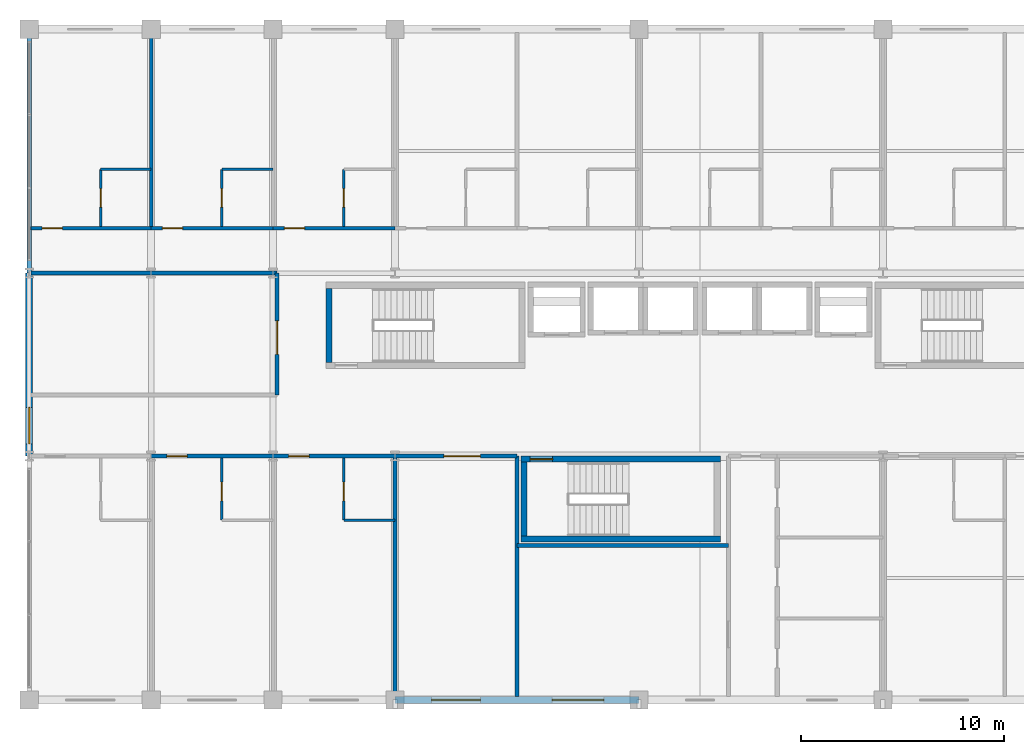
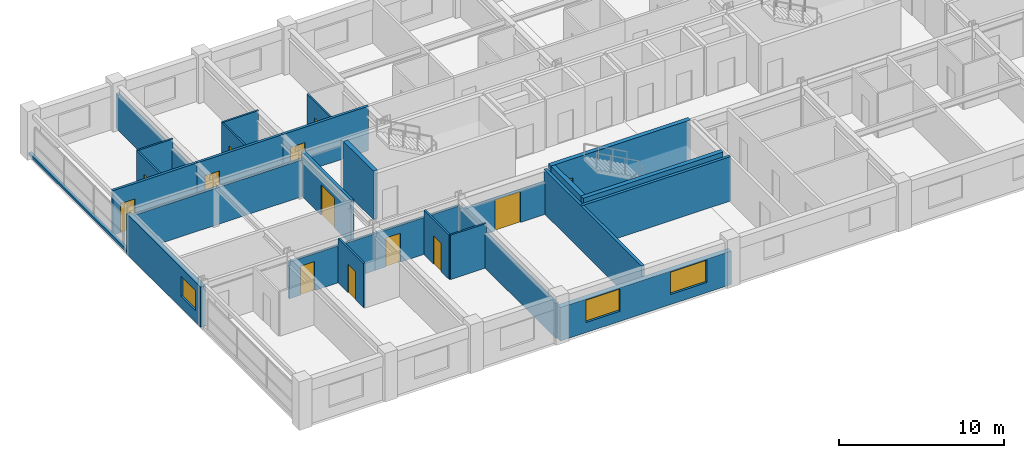
# One storey, part 16 of 22: 27 walls, 13 doors, 3 windows, 16 openings.
"""IFC4 building model written with IfcOpenShell, lengths in metres."""

from ifc_helpers import new_model, si_unit, direction, frame, frame_2d, origin, place, context, subcontext, project, spatial, rectangle, extrude, material, layer, layer_set, type_object, element, fill, save


model = new_model("IFC4")

# Units and contexts
model_context = context("Model", 3, precision=1e-05, world=origin(), true_north=direction((0.0, 1.0)))
body_context = subcontext(model_context, "Body", "Model", "MODEL_VIEW")
ifc_project = project(units=[si_unit("LENGTHUNIT", "METRE"), si_unit("AREAUNIT", "SQUARE_METRE"), si_unit("VOLUMEUNIT", "CUBIC_METRE"), si_unit("PLANEANGLEUNIT", "RADIAN"), si_unit("MASSUNIT", "GRAM", prefix="KILO")], contexts=[model_context])

# Site, building, storey
site_placement = place(None, origin())
site = spatial("IfcSite", under=ifc_project, at=site_placement, CompositionType="ELEMENT")
building_placement = place(site_placement, origin())
building = spatial("IfcBuilding", under=site, at=building_placement, Name="Kaldorvane Square Convention Centre", CompositionType="ELEMENT")
storey_placement = place(building_placement, frame((0.0, 0.0, 31.199996948242188)))
storey = spatial("IfcBuildingStorey", under=building, at=storey_placement, Name="L06", CompositionType="ELEMENT", Elevation=31.199996948242188)

# Wall, opening, door
ifc_material_1 = material(Name="Fire-Rated Gypsum Board on Acoustic Steel Studs", Category="steel")
ifc_layer_1 = layer(ifc_material_1, 0.125)
ifc_layer_set_1 = layer_set([ifc_layer_1], Name="Fire-Rated Gypsum Board on Acoustic Steel Studs")
wall_type_1 = type_object("IfcWallType", Name="WL-BATH-125", PredefinedType="PARTITIONING", material=ifc_layer_set_1)
wall_1_placement = place(storey_placement, frame((27.520004272460938, 107.28999328613281, 0.0), z_axis=(0.0, 0.0, 1.0), x_axis=(0.0, 1.0, 0.0)))
wall_1 = element("IfcWall", 1, at=wall_1_placement, inside=storey, type_object=wall_type_1, Name="En-Suite 601 West Wall", PredefinedType="PARTITIONING", context=body_context, shape_type="SweptSolid", body=[
    extrude(rectangle(XDim=2.8100128173828125, YDim=0.125, at=frame_2d((1.404998779296875, 0.0))), origin(), (0.0, 0.0, 1.0), 3.290008544921875),
])
opening_1_placement = place(wall_1_placement, frame((0.9499969482421875, 0.0, 0.0)))
opening_1 = element("IfcOpeningElement", 2, at=opening_1_placement, cuts=wall_1, Name="Opening ID-12", PredefinedType="OPENING", context=body_context, shape_type="SweptSolid", body=[
    extrude(rectangle(XDim=0.9199981689453125, YDim=2.100006103515625, at=frame_2d((0.459991455078125, 1.0500030517578125))), frame((0.0, 0.0774993896484375, 0.0), z_axis=(0.0, -1.0, 0.0), x_axis=(1.0, 0.0, 0.0)), (0.0, 0.0, 1.0), 0.154998779296875),
])
ifc_material_2 = material(Name="Architectural Solid-Core White Oak")
door_type_1 = type_object("IfcDoorType", Name="DR-BATH-0920X2100", OperationType="SINGLE_SWING_RIGHT", PredefinedType="DOOR", material=ifc_material_2)
door_1_placement = place(opening_1_placement, origin())
door_1 = element("IfcDoor", 3, at=door_1_placement, inside=storey, type_object=door_type_1, Name="En-Suite Bathroom 601 Door", OperationType="SINGLE_SWING_RIGHT", OverallHeight=2.100006103515625, OverallWidth=0.9199981689453125, PredefinedType="DOOR", context=body_context, shape_type="SweptSolid", body=[
    extrude(rectangle(XDim=0.9199981689453125, YDim=2.100006103515625, at=frame_2d((0.459991455078125, 1.0500030517578125))), frame((0.0, 0.024993896484375, 0.0), z_axis=(0.0, -1.0, 0.0), x_axis=(1.0, 0.0, 0.0)), (0.0, 0.0, 1.0), 0.0500030517578125),
])
fill(opening_1, door_1)

# Wall
wall_2_placement = place(storey_placement, frame((27.520004272460938, 110.10000610351562, 0.0), z_axis=(0.0, 0.0, 1.0), x_axis=(1.0, 0.0, 0.0)))
element("IfcWall", 4, at=wall_2_placement, inside=storey, type_object=wall_type_1, Name="En-Suite 601 North Wall", PredefinedType="PARTITIONING", context=body_context, shape_type="SweptSolid", body=[
    extrude(rectangle(XDim=2.4799957275390625, YDim=0.125, at=frame_2d((1.239990234375, 0.0))), origin(), (0.0, 0.0, 1.0), 3.290008544921875),
])

# Wall, opening, door
wall_3_placement = place(storey_placement, frame((33.47999572753906, 107.28999328613281, 0.0), z_axis=(0.0, 0.0, 1.0), x_axis=(0.0, 1.0, 0.0)))
wall_3 = element("IfcWall", 5, at=wall_3_placement, inside=storey, type_object=wall_type_1, Name="En-Suite 602 West Wall", PredefinedType="PARTITIONING", context=body_context, shape_type="SweptSolid", body=[
    extrude(rectangle(XDim=2.8100128173828125, YDim=0.125, at=frame_2d((1.404998779296875, 0.0))), origin(), (0.0, 0.0, 1.0), 3.290008544921875),
])
opening_2_placement = place(wall_3_placement, frame((0.9499969482421875, 0.0, 0.0)))
opening_2 = element("IfcOpeningElement", 6, at=opening_2_placement, cuts=wall_3, Name="Opening ID-12", PredefinedType="OPENING", context=body_context, shape_type="SweptSolid", body=[
    extrude(rectangle(XDim=0.9199981689453125, YDim=2.100006103515625, at=frame_2d((0.459991455078125, 1.0500030517578125))), frame((0.0, 0.0774993896484375, 0.0), z_axis=(0.0, -1.0, 0.0), x_axis=(1.0, 0.0, 0.0)), (0.0, 0.0, 1.0), 0.154998779296875),
])
door_2_placement = place(opening_2_placement, origin())
door_2 = element("IfcDoor", 7, at=door_2_placement, inside=storey, type_object=door_type_1, Name="En-Suite Bathroom 602 Door", OperationType="SINGLE_SWING_RIGHT", OverallHeight=2.100006103515625, OverallWidth=0.9199981689453125, PredefinedType="DOOR", context=body_context, shape_type="SweptSolid", body=[
    extrude(rectangle(XDim=0.9199981689453125, YDim=2.100006103515625, at=frame_2d((0.459991455078125, 1.0500030517578125))), frame((0.0, 0.024993896484375, 0.0), z_axis=(0.0, -1.0, 0.0), x_axis=(1.0, 0.0, 0.0)), (0.0, 0.0, 1.0), 0.0500030517578125),
])
fill(opening_2, door_2)

# Wall
wall_4_placement = place(storey_placement, frame((33.47999572753906, 110.10000610351562, 0.0), z_axis=(0.0, 0.0, 1.0), x_axis=(1.0, 0.0, 0.0)))
element("IfcWall", 8, at=wall_4_placement, inside=storey, type_object=wall_type_1, Name="En-Suite 602 North Wall", PredefinedType="PARTITIONING", context=body_context, shape_type="SweptSolid", body=[
    extrude(rectangle(XDim=2.5200042724609375, YDim=0.125, at=frame_2d((1.260009765625, 0.0))), origin(), (0.0, 0.0, 1.0), 3.290008544921875),
])

# Wall, opening, door
wall_5_placement = place(storey_placement, frame((39.47999572753906, 107.28999328613281, 0.0), z_axis=(0.0, 0.0, 1.0), x_axis=(0.0, 1.0, 0.0)))
wall_5 = element("IfcWall", 9, at=wall_5_placement, inside=storey, type_object=wall_type_1, Name="En-Suite 603 West Wall", PredefinedType="PARTITIONING", context=body_context, shape_type="SweptSolid", body=[
    extrude(rectangle(XDim=2.8100128173828125, YDim=0.125, at=frame_2d((1.404998779296875, 0.0))), origin(), (0.0, 0.0, 1.0), 3.290008544921875),
])
opening_3_placement = place(wall_5_placement, frame((0.9499969482421875, 0.0, 0.0)))
opening_3 = element("IfcOpeningElement", 10, at=opening_3_placement, cuts=wall_5, Name="Opening ID-12", PredefinedType="OPENING", context=body_context, shape_type="SweptSolid", body=[
    extrude(rectangle(XDim=0.9199981689453125, YDim=2.100006103515625, at=frame_2d((0.459991455078125, 1.0500030517578125))), frame((0.0, 0.0774993896484375, 0.0), z_axis=(0.0, -1.0, 0.0), x_axis=(1.0, 0.0, 0.0)), (0.0, 0.0, 1.0), 0.154998779296875),
])
door_3_placement = place(opening_3_placement, origin())
door_3 = element("IfcDoor", 11, at=door_3_placement, inside=storey, type_object=door_type_1, Name="En-Suite Bathroom 603 Door", OperationType="SINGLE_SWING_RIGHT", OverallHeight=2.100006103515625, OverallWidth=0.9199981689453125, PredefinedType="DOOR", context=body_context, shape_type="SweptSolid", body=[
    extrude(rectangle(XDim=0.9199981689453125, YDim=2.100006103515625, at=frame_2d((0.459991455078125, 1.0500030517578125))), frame((0.0, 0.024993896484375, 0.0), z_axis=(0.0, -1.0, 0.0), x_axis=(1.0, 0.0, 0.0)), (0.0, 0.0, 1.0), 0.0500030517578125),
])
fill(opening_3, door_3)

wall_6_placement = place(storey_placement, frame((33.47999572753906, 92.85000610351562, 0.0), z_axis=(0.0, 0.0, 1.0), x_axis=(0.0, 1.0, 0.0)))
wall_6 = element("IfcWall", 12, at=wall_6_placement, inside=storey, type_object=wall_type_1, Name="En-Suite 614 West Wall", PredefinedType="PARTITIONING", context=body_context, shape_type="SweptSolid", body=[
    extrude(rectangle(XDim=3.05999755859375, YDim=0.125, at=frame_2d((1.529998779296875, 0.0))), origin(), (0.0, 0.0, 1.0), 3.290008544921875),
])
opening_4_placement = place(wall_6_placement, frame((0.9499969482421875, 0.0, 0.0)))
opening_4 = element("IfcOpeningElement", 13, at=opening_4_placement, cuts=wall_6, Name="Opening ID-12", PredefinedType="OPENING", context=body_context, shape_type="SweptSolid", body=[
    extrude(rectangle(XDim=0.9199981689453125, YDim=2.100006103515625, at=frame_2d((0.459991455078125, 1.0500030517578125))), frame((0.0, 0.0774993896484375, 0.0), z_axis=(0.0, -1.0, 0.0), x_axis=(1.0, 0.0, 0.0)), (0.0, 0.0, 1.0), 0.154998779296875),
])
door_4_placement = place(opening_4_placement, origin())
door_4 = element("IfcDoor", 14, at=door_4_placement, inside=storey, type_object=door_type_1, Name="En-Suite Bathroom 614 Door", OperationType="SINGLE_SWING_RIGHT", OverallHeight=2.100006103515625, OverallWidth=0.9199981689453125, PredefinedType="DOOR", context=body_context, shape_type="SweptSolid", body=[
    extrude(rectangle(XDim=0.9199981689453125, YDim=2.100006103515625, at=frame_2d((0.459991455078125, 1.0500030517578125))), frame((0.0, 0.024993896484375, 0.0), z_axis=(0.0, -1.0, 0.0), x_axis=(1.0, 0.0, 0.0)), (0.0, 0.0, 1.0), 0.0500030517578125),
])
fill(opening_4, door_4)

wall_7_placement = place(storey_placement, frame((39.47999572753906, 92.85000610351562, 0.0), z_axis=(0.0, 0.0, 1.0), x_axis=(0.0, 1.0, 0.0)))
wall_7 = element("IfcWall", 15, at=wall_7_placement, inside=storey, type_object=wall_type_1, Name="En-Suite 615 West Wall", PredefinedType="PARTITIONING", context=body_context, shape_type="SweptSolid", body=[
    extrude(rectangle(XDim=3.05999755859375, YDim=0.125, at=frame_2d((1.529998779296875, 0.0))), origin(), (0.0, 0.0, 1.0), 3.290008544921875),
])
opening_5_placement = place(wall_7_placement, frame((0.9499969482421875, 0.0, 0.0)))
opening_5 = element("IfcOpeningElement", 16, at=opening_5_placement, cuts=wall_7, Name="Opening ID-12", PredefinedType="OPENING", context=body_context, shape_type="SweptSolid", body=[
    extrude(rectangle(XDim=0.9199981689453125, YDim=2.100006103515625, at=frame_2d((0.459991455078125, 1.0500030517578125))), frame((0.0, 0.0774993896484375, 0.0), z_axis=(0.0, -1.0, 0.0), x_axis=(1.0, 0.0, 0.0)), (0.0, 0.0, 1.0), 0.154998779296875),
])
door_5_placement = place(opening_5_placement, origin())
door_5 = element("IfcDoor", 17, at=door_5_placement, inside=storey, type_object=door_type_1, Name="En-Suite Bathroom 615 Door", OperationType="SINGLE_SWING_RIGHT", OverallHeight=2.100006103515625, OverallWidth=0.9199981689453125, PredefinedType="DOOR", context=body_context, shape_type="SweptSolid", body=[
    extrude(rectangle(XDim=0.9199981689453125, YDim=2.100006103515625, at=frame_2d((0.459991455078125, 1.0500030517578125))), frame((0.0, 0.024993896484375, 0.0), z_axis=(0.0, -1.0, 0.0), x_axis=(1.0, 0.0, 0.0)), (0.0, 0.0, 1.0), 0.0500030517578125),
])
fill(opening_5, door_5)

# Walls
wall_8_placement = place(storey_placement, frame((39.47999572753906, 92.85000610351562, 0.0), z_axis=(0.0, 0.0, 1.0), x_axis=(1.0, 0.0, 0.0)))
element("IfcWall", 18, at=wall_8_placement, inside=storey, type_object=wall_type_1, Name="En-Suite 615 South Wall", PredefinedType="PARTITIONING", context=body_context, shape_type="SweptSolid", body=[
    extrude(rectangle(XDim=2.5200042724609375, YDim=0.125, at=frame_2d((1.260009765625, 0.0))), origin(), (0.0, 0.0, 1.0), 3.290008544921875),
])
ifc_layer_2 = layer(ifc_material_1, 0.1999969482421875)
ifc_layer_set_2 = layer_set([ifc_layer_2], Name="Fire-Rated Gypsum Board on Acoustic Steel Studs")
wall_type_2 = type_object("IfcWallType", Name="WL-CORR-200", PredefinedType="PARTITIONING", material=ifc_layer_set_2)
wall_9_placement = place(storey_placement, frame((48.0, 91.60000610351562, 0.0), z_axis=(0.0, 0.0, 1.0), x_axis=(1.0, 0.0, 0.0)))
element("IfcWall", 19, at=wall_9_placement, inside=storey, type_object=wall_type_2, Name="Housekeeping North Wall (L06)", PredefinedType="PARTITIONING", context=body_context, shape_type="SweptSolid", body=[
    extrude(rectangle(XDim=10.399993896484375, YDim=0.1999969482421875, at=frame_2d((5.1999969482421875, 0.0))), origin(), (0.0, 0.0, 1.0), 3.290008544921875),
])
wall_10_placement = place(storey_placement, frame((48.0, 84.17500305175781, 0.0), z_axis=(0.0, 0.0, 1.0), x_axis=(0.0, 1.0, 0.0)))
element("IfcWall", 20, at=wall_10_placement, inside=storey, type_object=wall_type_2, Name="Service Block West Wall (L06)", PredefinedType="PARTITIONING", context=body_context, shape_type="SweptSolid", body=[
    extrude(rectangle(XDim=11.824996948242188, YDim=0.1999969482421875, at=frame_2d((5.912506103515625, 0.0))), origin(), (0.0, 0.0, 1.0), 3.290008544921875),
])

# Wall, opening, door
wall_11_placement = place(storey_placement, frame((42.0, 96.0, 0.0), z_axis=(0.0, 0.0, 1.0), x_axis=(1.0, 0.0, 0.0)))
wall_11 = element("IfcWall", 21, at=wall_11_placement, inside=storey, type_object=wall_type_2, Name="South Tower Club Lounge Corridor Wall (L06)", PredefinedType="PARTITIONING", context=body_context, shape_type="SweptSolid", body=[
    extrude(rectangle(XDim=6.0, YDim=0.1999969482421875, at=frame_2d((3.0, 0.0))), origin(), (0.0, 0.0, 1.0), 2.3590087890625),
])
opening_6_placement = place(wall_11_placement, frame((2.399993896484375, 0.0, 0.0)))
opening_6 = element("IfcOpeningElement", 22, at=opening_6_placement, cuts=wall_11, Name="Opening ID-15", PredefinedType="OPENING", context=body_context, shape_type="SweptSolid", body=[
    extrude(rectangle(XDim=1.8000030517578125, YDim=2.3000030517578125, at=frame_2d((0.899993896484375, 1.149993896484375))), frame((0.0, 0.114990234375, 0.0), z_axis=(0.0, -1.0, 0.0), x_axis=(1.0, 0.0, 0.0)), (0.0, 0.0, 1.0), 0.2299957275390625),
])
ifc_material_3 = material(Name="Acoustic Laminated Glass in Aluminum Frame", Category="aluminium")
door_type_2 = type_object("IfcDoorType", Name="DR-GL-1800X2300", OperationType="DOUBLE_DOOR_SINGLE_SWING", PredefinedType="DOOR", material=ifc_material_3)
door_6_placement = place(opening_6_placement, origin())
door_6 = element("IfcDoor", 23, at=door_6_placement, inside=storey, type_object=door_type_2, Name="South Tower Club Lounge Entry Door (L06)", OperationType="DOUBLE_DOOR_SINGLE_SWING", OverallHeight=2.3000030517578125, OverallWidth=1.8000030517578125, PredefinedType="DOOR", context=body_context, shape_type="SweptSolid", body=[
    extrude(rectangle(XDim=1.8000030517578125, YDim=2.3000030517578125, at=frame_2d((0.899993896484375, 1.149993896484375))), frame((0.0, 0.024993896484375, 0.0), z_axis=(0.0, -1.0, 0.0), x_axis=(1.0, 0.0, 0.0)), (0.0, 0.0, 1.0), 0.0500030517578125),
])
fill(opening_6, door_6)

wall_12_placement = place(storey_placement, frame((36.19999694824219, 99.0, 0.0), z_axis=(0.0, 0.0, 1.0), x_axis=(0.0, 1.0, 0.0)))
wall_12 = element("IfcWall", 24, at=wall_12_placement, inside=storey, type_object=wall_type_2, Name="West Sunset Sitting Alcove (L06) E Wall", PredefinedType="PARTITIONING", context=body_context, shape_type="SweptSolid", body=[
    extrude(rectangle(XDim=6.0, YDim=0.1999969482421875, at=frame_2d((3.0, 0.0))), origin(), (0.0, 0.0, 1.0), 3.290008544921875),
])
opening_7_placement = place(wall_12_placement, frame((2.0, 0.0, 0.0)))
opening_7 = element("IfcOpeningElement", 25, at=opening_7_placement, cuts=wall_12, Name="Opening ID-16", PredefinedType="OPENING", context=body_context, shape_type="SweptSolid", body=[
    extrude(rectangle(XDim=1.649993896484375, YDim=2.25, at=frame_2d((0.8249969482421875, 1.125))), frame((0.0, 0.114990234375, 0.0), z_axis=(0.0, -1.0, 0.0), x_axis=(1.0, 0.0, 0.0)), (0.0, 0.0, 1.0), 0.2299957275390625),
])
door_type_3 = type_object("IfcDoorType", Name="DR-GL-1650X2250", OperationType="DOUBLE_DOOR_SINGLE_SWING", PredefinedType="DOOR", material=ifc_material_3)
door_7_placement = place(opening_7_placement, origin())
door_7 = element("IfcDoor", 26, at=door_7_placement, inside=storey, type_object=door_type_3, Name="West Sunset Sitting Alcove (L06) Door 1", OperationType="DOUBLE_DOOR_SINGLE_SWING", OverallHeight=2.25, OverallWidth=1.649993896484375, PredefinedType="DOOR", context=body_context, shape_type="SweptSolid", body=[
    extrude(rectangle(XDim=1.649993896484375, YDim=2.25, at=frame_2d((0.8249969482421875, 1.125))), frame((0.0, 0.024993896484375, 0.0), z_axis=(0.0, -1.0, 0.0), x_axis=(1.0, 0.0, 0.0)), (0.0, 0.0, 1.0), 0.0500030517578125),
])
fill(opening_7, door_7)

# Wall
wall_13_placement = place(storey_placement, frame((36.19999694824219, 105.0, 0.0), z_axis=(0.0, 0.0, 1.0), x_axis=(-1.0, 0.0, 0.0)))
element("IfcWall", 27, at=wall_13_placement, inside=storey, type_object=wall_type_2, Name="West Sunset Sitting Alcove (L06) N Wall", PredefinedType="PARTITIONING", context=body_context, shape_type="SweptSolid", body=[
    extrude(rectangle(XDim=12.114990234375, YDim=0.1999969482421875, at=frame_2d((6.0574951171875, 0.0))), origin(), (0.0, 0.0, 1.0), 2.7360076904296875),
])

# Wall, openings, windows
ifc_material_4 = material(Name="Concrete f'c = 42 MPa (Normalweight)", Category="concrete")
ifc_layer_3 = layer(ifc_material_4, 0.350006103515625)
ifc_layer_set_3 = layer_set([ifc_layer_3], Name="Concrete f'c = 42 MPa (Normalweight)")
wall_type_3 = type_object("IfcWallType", Name="WL-EXT-350", PredefinedType="STANDARD", material=ifc_layer_set_3)
wall_14_placement = place(storey_placement, frame((42.0, 84.0, 0.0), z_axis=(0.0, 0.0, 1.0), x_axis=(1.0, 0.0, 0.0)))
wall_14 = element("IfcWall", 28, at=wall_14_placement, inside=storey, type_object=wall_type_3, Name="Hotel S Brutalist Facade Wall (L06)", PredefinedType="STANDARD", context=body_context, shape_type="SweptSolid", body=[
    extrude(rectangle(XDim=12.0, YDim=0.350006103515625, at=frame_2d((6.0, 0.0))), origin(), (0.0, 0.0, 1.0), 2.4860076904296875),
])
opening_8_placement = place(wall_14_placement, frame((1.8000030517578125, 0.0, 0.75)))
opening_8 = element("IfcOpeningElement", 29, at=opening_8_placement, cuts=wall_14, Name="Opening W-01", PredefinedType="OPENING", context=body_context, shape_type="SweptSolid", body=[
    extrude(rectangle(XDim=2.399993896484375, YDim=1.649993896484375, at=frame_2d((1.1999969482421875, 0.8249969482421875))), frame((0.0, 0.19000244140625, 0.0), z_axis=(0.0, -1.0, 0.0), x_axis=(1.0, 0.0, 0.0)), (0.0, 0.0, 1.0), 0.3800048828125),
])
opening_9_placement = place(wall_14_placement, frame((7.725006103515625, 0.0, 0.75)))
opening_9 = element("IfcOpeningElement", 30, at=opening_9_placement, cuts=wall_14, Name="Opening W-02", PredefinedType="OPENING", context=body_context, shape_type="SweptSolid", body=[
    extrude(rectangle(XDim=2.5500030517578125, YDim=1.649993896484375, at=frame_2d((1.274993896484375, 0.8249969482421875))), frame((0.0, 0.19000244140625, 0.0), z_axis=(0.0, -1.0, 0.0), x_axis=(1.0, 0.0, 0.0)), (0.0, 0.0, 1.0), 0.3800048828125),
])
ifc_material_5 = material(Name="Anodized Aluminum and Low-E Insulated Glazing", Category="aluminium")
window_type_1 = type_object("IfcWindowType", Name="WN-HTL-2400X1650", PartitioningType="DOUBLE_PANEL_VERTICAL", PredefinedType="WINDOW", material=ifc_material_5)
window_1_placement = place(opening_8_placement, origin())
window_1 = element("IfcWindow", 31, at=window_1_placement, inside=storey, type_object=window_type_1, Name="Hotel S Window (L06)", OverallHeight=1.649993896484375, OverallWidth=2.399993896484375, PartitioningType="DOUBLE_PANEL_VERTICAL", PredefinedType="WINDOW", context=body_context, shape_type="SweptSolid", body=[
    extrude(rectangle(XDim=2.399993896484375, YDim=1.649993896484375, at=frame_2d((1.1999969482421875, 0.8249969482421875))), frame((0.0, 0.029998779296875, 0.0), z_axis=(0.0, -1.0, 0.0), x_axis=(1.0, 0.0, 0.0)), (0.0, 0.0, 1.0), 0.05999755859375),
])
fill(opening_8, window_1)
window_type_2 = type_object("IfcWindowType", Name="WN-HTL-2550X1650", PartitioningType="DOUBLE_PANEL_VERTICAL", PredefinedType="WINDOW", material=ifc_material_5)
window_2_placement = place(opening_9_placement, origin())
window_2 = element("IfcWindow", 32, at=window_2_placement, inside=storey, type_object=window_type_2, Name="Hotel S Window (L06)", OverallHeight=1.649993896484375, OverallWidth=2.5500030517578125, PartitioningType="DOUBLE_PANEL_VERTICAL", PredefinedType="WINDOW", context=body_context, shape_type="SweptSolid", body=[
    extrude(rectangle(XDim=2.5500030517578125, YDim=1.649993896484375, at=frame_2d((1.274993896484375, 0.8249969482421875))), frame((0.0, 0.029998779296875, 0.0), z_axis=(0.0, -1.0, 0.0), x_axis=(1.0, 0.0, 0.0)), (0.0, 0.0, 1.0), 0.05999755859375),
])
fill(opening_9, window_2)

# Wall, opening, window
wall_15_placement = place(storey_placement, frame((24.0, 105.0, 0.0), z_axis=(0.0, 0.0, 1.0), x_axis=(0.0, -1.0, 0.0)))
wall_15 = element("IfcWall", 33, at=wall_15_placement, inside=storey, type_object=wall_type_3, Name="Hotel W End Wall (L06)", PredefinedType="STANDARD", context=body_context, shape_type="SweptSolid", body=[
    extrude(rectangle(XDim=9.0, YDim=0.350006103515625, at=frame_2d((4.5, 0.0))), origin(), (0.0, 0.0, 1.0), 2.9810028076171875),
])
opening_10_placement = place(wall_15_placement, frame((6.600006103515625, 0.0, 0.850006103515625)))
opening_10 = element("IfcOpeningElement", 34, at=opening_10_placement, cuts=wall_15, Name="Opening W-11", PredefinedType="OPENING", context=body_context, shape_type="SweptSolid", body=[
    extrude(rectangle(XDim=1.8000030517578125, YDim=1.5, at=frame_2d((0.899993896484375, 0.75))), frame((0.0, 0.19000244140625, 0.0), z_axis=(0.0, -1.0, 0.0), x_axis=(1.0, 0.0, 0.0)), (0.0, 0.0, 1.0), 0.3800048828125),
])
window_type_3 = type_object("IfcWindowType", Name="WN-HTL-1800X1500", PartitioningType="SINGLE_PANEL", PredefinedType="WINDOW", material=ifc_material_5)
window_3_placement = place(opening_10_placement, origin())
window_3 = element("IfcWindow", 35, at=window_3_placement, inside=storey, type_object=window_type_3, Name="Hotel End Window W (L06)", OverallHeight=1.5, OverallWidth=1.8000030517578125, PartitioningType="SINGLE_PANEL", PredefinedType="WINDOW", context=body_context, shape_type="SweptSolid", body=[
    extrude(rectangle(XDim=1.8000030517578125, YDim=1.5, at=frame_2d((0.899993896484375, 0.75))), frame((0.0, 0.029998779296875, 0.0), z_axis=(0.0, -1.0, 0.0), x_axis=(1.0, 0.0, 0.0)), (0.0, 0.0, 1.0), 0.05999755859375),
])
fill(opening_10, window_3)

# Walls
ifc_material_6 = material(Name="Concrete f'c = 35 MPa (Normalweight)", Category="concrete")
ifc_layer_4 = layer(ifc_material_6, 0.220001220703125)
ifc_layer_set_4 = layer_set([ifc_layer_4], Name="Concrete f'c = 35 MPa (Normalweight)")
wall_type_4 = type_object("IfcWallType", Name="WL-PAR-220", PredefinedType="PARAPET", material=ifc_layer_set_4)
wall_16_placement = place(storey_placement, frame((24.0, 117.0, 0.0), z_axis=(0.0, 0.0, 1.0), x_axis=(0.0, -1.0, 0.0)))
element("IfcWall", 36, at=wall_16_placement, inside=storey, type_object=wall_type_4, Name="Hotel End Curtain-Wall Sill (L06)", PredefinedType="PARAPET", context=body_context, shape_type="SweptSolid", body=[
    extrude(rectangle(XDim=12.0, YDim=0.220001220703125, at=frame_2d((6.0, 0.0))), origin(), (0.0, 0.0, 1.0), 0.1999969482421875),
])
ifc_material_7 = material(Name="Concrete f'c = 55 MPa (Normalweight)", Category="concrete")
ifc_layer_5 = layer(ifc_material_7, 0.3000030517578125)
ifc_layer_set_5 = layer_set([ifc_layer_5], Name="Concrete f'c = 55 MPa (Normalweight)")
wall_type_5 = type_object("IfcWallType", Name="WL-SHAFT-300", PredefinedType="SHEAR", material=ifc_layer_set_5)
wall_17_placement = place(storey_placement, frame((38.75, 104.25, 0.0), z_axis=(0.0, 0.0, 1.0), x_axis=(0.0, -1.0, 0.0)))
element("IfcWall", 37, at=wall_17_placement, inside=storey, type_object=wall_type_5, Name="Core Enclosure Wall stair:ST-T1-W (L06)", PredefinedType="SHEAR", context=body_context, shape_type="SweptSolid", body=[
    extrude(rectangle(XDim=3.6399993896484375, YDim=0.3000030517578125, at=frame_2d((1.82000732421875, 0.0))), origin(), (0.0, 0.0, 1.0), 3.600006103515625),
])
wall_18_placement = place(storey_placement, frame((48.19999694824219, 91.91000366210938, 0.0), z_axis=(0.0, 0.0, 1.0), x_axis=(1.0, 0.0, 0.0)))
element("IfcWall", 38, at=wall_18_placement, inside=storey, type_object=wall_type_5, Name="Core Enclosure Wall stair:ST-T3-S (L06)", PredefinedType="SHEAR", context=body_context, shape_type="SweptSolid", body=[
    extrude(rectangle(XDim=9.800003051757812, YDim=0.3000030517578125, at=frame_2d((4.899993896484375, 0.0))), origin(), (0.0, 0.0, 1.0), 3.600006103515625),
])

# Wall, opening, door
wall_19_placement = place(storey_placement, frame((58.0, 95.85000610351562, 0.0), z_axis=(0.0, 0.0, 1.0), x_axis=(-1.0, 0.0, 0.0)))
wall_19 = element("IfcWall", 39, at=wall_19_placement, inside=storey, type_object=wall_type_5, Name="Core Enclosure Wall stair:ST-T3-N (L06)", PredefinedType="SHEAR", context=body_context, shape_type="SweptSolid", body=[
    extrude(rectangle(XDim=9.800003051757812, YDim=0.3000030517578125, at=frame_2d((4.899993896484375, 0.0))), origin(), (0.0, 0.0, 1.0), 3.600006103515625),
])
opening_11_placement = place(wall_19_placement, frame((8.25, 0.0, 0.0)))
opening_11 = element("IfcOpeningElement", 40, at=opening_11_placement, cuts=wall_19, Name="Opening FD90-S1", PredefinedType="OPENING", context=body_context, shape_type="SweptSolid", body=[
    extrude(rectangle(XDim=1.100006103515625, YDim=2.1999969482421875, at=frame_2d((0.5500030517578125, 1.100006103515625))), frame((0.0, 0.165008544921875, 0.0), z_axis=(0.0, -1.0, 0.0), x_axis=(1.0, 0.0, 0.0)), (0.0, 0.0, 1.0), 0.3300018310546875),
])
ifc_material_8 = material(Name="Fire-Rated Hollow Metal Steel", Category="steel")
door_type_4 = type_object("IfcDoorType", Name="DR-STAIR-1100", OperationType="SINGLE_SWING_RIGHT", PredefinedType="DOOR", material=ifc_material_8)
door_8_placement = place(opening_11_placement, origin())
door_8 = element("IfcDoor", 41, at=door_8_placement, inside=storey, type_object=door_type_4, Name="Tower Exit Stair T3 Fire Door (L06)", OperationType="SINGLE_SWING_RIGHT", OverallHeight=2.1999969482421875, OverallWidth=1.100006103515625, PredefinedType="DOOR", context=body_context, shape_type="SweptSolid", body=[
    extrude(rectangle(XDim=1.100006103515625, YDim=2.1999969482421875, at=frame_2d((0.5500030517578125, 1.100006103515625))), frame((0.0, 0.024993896484375, 0.0), z_axis=(0.0, -1.0, 0.0), x_axis=(1.0, 0.0, 0.0)), (0.0, 0.0, 1.0), 0.0500030517578125),
])
fill(opening_11, door_8)

# Wall
wall_20_placement = place(storey_placement, frame((48.350006103515625, 95.69999694824219, 0.0), z_axis=(0.0, 0.0, 1.0), x_axis=(0.0, -1.0, 0.0)))
element("IfcWall", 42, at=wall_20_placement, inside=storey, type_object=wall_type_5, Name="Core Enclosure Wall stair:ST-T3-W (L06)", PredefinedType="SHEAR", context=body_context, shape_type="SweptSolid", body=[
    extrude(rectangle(XDim=3.6399993896484375, YDim=0.3000030517578125, at=frame_2d((1.82000732421875, 0.0))), origin(), (0.0, 0.0, 1.0), 3.600006103515625),
])

# Wall, opening, door
ifc_layer_6 = layer(ifc_material_1, 0.17999267578125)
ifc_layer_set_6 = layer_set([ifc_layer_6], Name="Fire-Rated Gypsum Board on Acoustic Steel Studs")
wall_type_6 = type_object("IfcWallType", Name="WL-UNIT-180", PredefinedType="PARTITIONING", material=ifc_layer_set_6)
wall_21_placement = place(storey_placement, frame((24.085006713867188, 107.19999694824219, 0.0), z_axis=(0.0, 0.0, 1.0), x_axis=(1.0, 0.0, 0.0)))
wall_21 = element("IfcWall", 43, at=wall_21_placement, inside=storey, type_object=wall_type_6, Name="Hotel Guest Room 601 Corridor Wall", PredefinedType="PARTITIONING", context=body_context, shape_type="SweptSolid", body=[
    extrude(rectangle(XDim=5.9149932861328125, YDim=0.17999267578125, at=frame_2d((2.957489013671875, 0.0))), origin(), (0.0, 0.0, 1.0), 3.290008544921875),
])
opening_12_placement = place(wall_21_placement, frame((0.5500030517578125, 0.0, 0.0)))
opening_12 = element("IfcOpeningElement", 44, at=opening_12_placement, cuts=wall_21, Name="Opening ID-10", PredefinedType="OPENING", context=body_context, shape_type="SweptSolid", body=[
    extrude(rectangle(XDim=1.0, YDim=2.149993896484375, at=frame_2d((0.5, 1.0749969482421875))), frame((0.0, 0.1049957275390625, 0.0), z_axis=(0.0, -1.0, 0.0), x_axis=(1.0, 0.0, 0.0)), (0.0, 0.0, 1.0), 0.209991455078125),
])
door_type_5 = type_object("IfcDoorType", Name="DR-GUEST-1000X2150", OperationType="SINGLE_SWING_LEFT", PredefinedType="DOOR", material=ifc_material_2)
door_9_placement = place(opening_12_placement, origin())
door_9 = element("IfcDoor", 45, at=door_9_placement, inside=storey, type_object=door_type_5, Name="Hotel Guest Room 601 Entry Door", OperationType="SINGLE_SWING_LEFT", OverallHeight=2.149993896484375, OverallWidth=1.0, PredefinedType="DOOR", context=body_context, shape_type="SweptSolid", body=[
    extrude(rectangle(XDim=1.0, YDim=2.149993896484375, at=frame_2d((0.5, 1.0749969482421875))), frame((0.0, 0.024993896484375, 0.0), z_axis=(0.0, -1.0, 0.0), x_axis=(1.0, 0.0, 0.0)), (0.0, 0.0, 1.0), 0.0500030517578125),
])
fill(opening_12, door_9)

# Wall
wall_22_placement = place(storey_placement, frame((30.0, 107.19999694824219, 0.0), z_axis=(0.0, 0.0, 1.0), x_axis=(0.0, 1.0, 0.0)))
element("IfcWall", 46, at=wall_22_placement, inside=storey, type_object=wall_type_6, Name="Guestroom Demising Wall 601", PredefinedType="PARTITIONING", context=body_context, shape_type="SweptSolid", body=[
    extrude(rectangle(XDim=9.625, YDim=0.17999267578125, at=frame_2d((4.8125, 0.0))), origin(), (0.0, 0.0, 1.0), 2.589996337890625),
])

# Wall, opening, door
wall_23_placement = place(storey_placement, frame((30.0, 107.19999694824219, 0.0), z_axis=(0.0, 0.0, 1.0), x_axis=(1.0, 0.0, 0.0)))
wall_23 = element("IfcWall", 47, at=wall_23_placement, inside=storey, type_object=wall_type_6, Name="Hotel Guest Room 602 Corridor Wall", PredefinedType="PARTITIONING", context=body_context, shape_type="SweptSolid", body=[
    extrude(rectangle(XDim=6.0, YDim=0.17999267578125, at=frame_2d((3.0, 0.0))), origin(), (0.0, 0.0, 1.0), 3.290008544921875),
])
opening_13_placement = place(wall_23_placement, frame((0.5500030517578125, 0.0, 0.0)))
opening_13 = element("IfcOpeningElement", 48, at=opening_13_placement, cuts=wall_23, Name="Opening ID-10", PredefinedType="OPENING", context=body_context, shape_type="SweptSolid", body=[
    extrude(rectangle(XDim=1.0, YDim=2.149993896484375, at=frame_2d((0.5, 1.0749969482421875))), frame((0.0, 0.1049957275390625, 0.0), z_axis=(0.0, -1.0, 0.0), x_axis=(1.0, 0.0, 0.0)), (0.0, 0.0, 1.0), 0.209991455078125),
])
door_10_placement = place(opening_13_placement, origin())
door_10 = element("IfcDoor", 49, at=door_10_placement, inside=storey, type_object=door_type_5, Name="Hotel Guest Room 602 Entry Door", OperationType="SINGLE_SWING_LEFT", OverallHeight=2.149993896484375, OverallWidth=1.0, PredefinedType="DOOR", context=body_context, shape_type="SweptSolid", body=[
    extrude(rectangle(XDim=1.0, YDim=2.149993896484375, at=frame_2d((0.5, 1.0749969482421875))), frame((0.0, 0.024993896484375, 0.0), z_axis=(0.0, -1.0, 0.0), x_axis=(1.0, 0.0, 0.0)), (0.0, 0.0, 1.0), 0.0500030517578125),
])
fill(opening_13, door_10)

wall_24_placement = place(storey_placement, frame((36.0, 107.19999694824219, 0.0), z_axis=(0.0, 0.0, 1.0), x_axis=(1.0, 0.0, 0.0)))
wall_24 = element("IfcWall", 50, at=wall_24_placement, inside=storey, type_object=wall_type_6, Name="Hotel Guest Room 603 Corridor Wall", PredefinedType="PARTITIONING", context=body_context, shape_type="SweptSolid", body=[
    extrude(rectangle(XDim=6.0, YDim=0.17999267578125, at=frame_2d((3.0, 0.0))), origin(), (0.0, 0.0, 1.0), 3.290008544921875),
])
opening_14_placement = place(wall_24_placement, frame((0.5500030517578125, 0.0, 0.0)))
opening_14 = element("IfcOpeningElement", 51, at=opening_14_placement, cuts=wall_24, Name="Opening ID-10", PredefinedType="OPENING", context=body_context, shape_type="SweptSolid", body=[
    extrude(rectangle(XDim=1.0, YDim=2.149993896484375, at=frame_2d((0.5, 1.0749969482421875))), frame((0.0, 0.1049957275390625, 0.0), z_axis=(0.0, -1.0, 0.0), x_axis=(1.0, 0.0, 0.0)), (0.0, 0.0, 1.0), 0.209991455078125),
])
door_11_placement = place(opening_14_placement, origin())
door_11 = element("IfcDoor", 52, at=door_11_placement, inside=storey, type_object=door_type_5, Name="Hotel Guest Room 603 Entry Door", OperationType="SINGLE_SWING_LEFT", OverallHeight=2.149993896484375, OverallWidth=1.0, PredefinedType="DOOR", context=body_context, shape_type="SweptSolid", body=[
    extrude(rectangle(XDim=1.0, YDim=2.149993896484375, at=frame_2d((0.5, 1.0749969482421875))), frame((0.0, 0.024993896484375, 0.0), z_axis=(0.0, -1.0, 0.0), x_axis=(1.0, 0.0, 0.0)), (0.0, 0.0, 1.0), 0.0500030517578125),
])
fill(opening_14, door_11)

# Wall
wall_25_placement = place(storey_placement, frame((42.0, 84.17500305175781, 0.0), z_axis=(0.0, 0.0, 1.0), x_axis=(0.0, 1.0, 0.0)))
element("IfcWall", 53, at=wall_25_placement, inside=storey, type_object=wall_type_6, Name="South Tower Club Lounge West Wall (L06)", PredefinedType="PARTITIONING", context=body_context, shape_type="SweptSolid", body=[
    extrude(rectangle(XDim=11.824996948242188, YDim=0.17999267578125, at=frame_2d((5.912506103515625, 0.0))), origin(), (0.0, 0.0, 1.0), 2.589996337890625),
])

# Wall, opening, door
wall_26_placement = place(storey_placement, frame((30.0, 96.0, 0.0), z_axis=(0.0, 0.0, 1.0), x_axis=(1.0, 0.0, 0.0)))
wall_26 = element("IfcWall", 54, at=wall_26_placement, inside=storey, type_object=wall_type_6, Name="Hotel Guest Room 614 Corridor Wall", PredefinedType="PARTITIONING", context=body_context, shape_type="SweptSolid", body=[
    extrude(rectangle(XDim=6.0, YDim=0.17999267578125, at=frame_2d((3.0, 0.0))), origin(), (0.0, 0.0, 1.0), 2.7360076904296875),
])
opening_15_placement = place(wall_26_placement, frame((0.7700042724609375, 0.0, 0.0)))
opening_15 = element("IfcOpeningElement", 55, at=opening_15_placement, cuts=wall_26, Name="Opening ID-10", PredefinedType="OPENING", context=body_context, shape_type="SweptSolid", body=[
    extrude(rectangle(XDim=1.0, YDim=2.149993896484375, at=frame_2d((0.5, 1.0749969482421875))), frame((0.0, 0.1049957275390625, 0.0), z_axis=(0.0, -1.0, 0.0), x_axis=(1.0, 0.0, 0.0)), (0.0, 0.0, 1.0), 0.209991455078125),
])
door_12_placement = place(opening_15_placement, origin())
door_12 = element("IfcDoor", 56, at=door_12_placement, inside=storey, type_object=door_type_5, Name="Hotel Guest Room 614 Entry Door", OperationType="SINGLE_SWING_LEFT", OverallHeight=2.149993896484375, OverallWidth=1.0, PredefinedType="DOOR", context=body_context, shape_type="SweptSolid", body=[
    extrude(rectangle(XDim=1.0, YDim=2.149993896484375, at=frame_2d((0.5, 1.0749969482421875))), frame((0.0, 0.024993896484375, 0.0), z_axis=(0.0, -1.0, 0.0), x_axis=(1.0, 0.0, 0.0)), (0.0, 0.0, 1.0), 0.0500030517578125),
])
fill(opening_15, door_12)

wall_27_placement = place(storey_placement, frame((36.0, 96.0, 0.0), z_axis=(0.0, 0.0, 1.0), x_axis=(1.0, 0.0, 0.0)))
wall_27 = element("IfcWall", 57, at=wall_27_placement, inside=storey, type_object=wall_type_6, Name="Hotel Guest Room 615 Corridor Wall", PredefinedType="PARTITIONING", context=body_context, shape_type="SweptSolid", body=[
    extrude(rectangle(XDim=6.0, YDim=0.17999267578125, at=frame_2d((3.0, 0.0))), origin(), (0.0, 0.0, 1.0), 2.7360076904296875),
])
opening_16_placement = place(wall_27_placement, frame((0.7700042724609375, 0.0, 0.0)))
opening_16 = element("IfcOpeningElement", 58, at=opening_16_placement, cuts=wall_27, Name="Opening ID-10", PredefinedType="OPENING", context=body_context, shape_type="SweptSolid", body=[
    extrude(rectangle(XDim=1.0, YDim=2.149993896484375, at=frame_2d((0.5, 1.0749969482421875))), frame((0.0, 0.1049957275390625, 0.0), z_axis=(0.0, -1.0, 0.0), x_axis=(1.0, 0.0, 0.0)), (0.0, 0.0, 1.0), 0.209991455078125),
])
door_13_placement = place(opening_16_placement, origin())
door_13 = element("IfcDoor", 59, at=door_13_placement, inside=storey, type_object=door_type_5, Name="Hotel Guest Room 615 Entry Door", OperationType="SINGLE_SWING_LEFT", OverallHeight=2.149993896484375, OverallWidth=1.0, PredefinedType="DOOR", context=body_context, shape_type="SweptSolid", body=[
    extrude(rectangle(XDim=1.0, YDim=2.149993896484375, at=frame_2d((0.5, 1.0749969482421875))), frame((0.0, 0.024993896484375, 0.0), z_axis=(0.0, -1.0, 0.0), x_axis=(1.0, 0.0, 0.0)), (0.0, 0.0, 1.0), 0.0500030517578125),
])
fill(opening_16, door_13)

save(model, "model.ifc")
